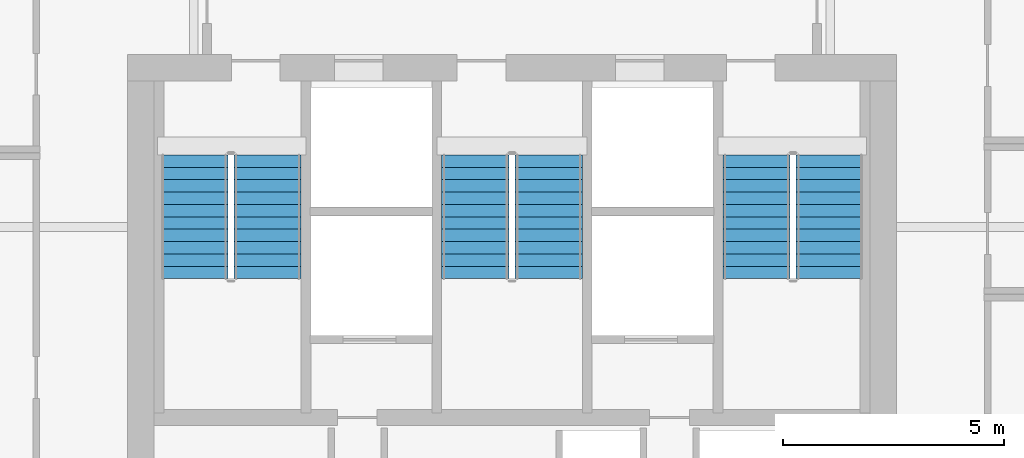
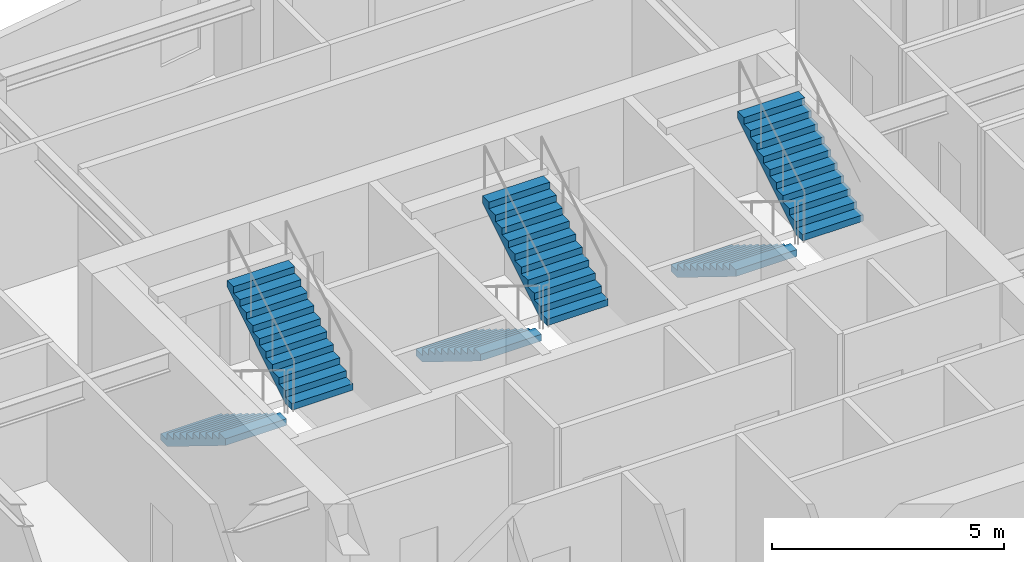
# One storey, part 9 of 12: 6 stair flights, 3 elements without a shape of their own.
"""IFC4 building model written with IfcOpenShell, lengths in metres."""

import ifcopenshell
import ifcopenshell.guid

model = None  # the IFC model being written
_history = None  # IfcOwnerHistory: only IFC2X3 demands one
_inside = {}  # id of a spatial element -> (the spatial element, [elements in it])
_under = {}  # id of a project, library or spatial element -> (it, [spatial elements below it])
_declared = {}  # id of a project -> (the project, [libraries it declares])
_typed = {}  # id of a type object -> (the type object, [elements of that type])
_made_of = {}  # id of a material, layer set ... -> (it, [elements and type objects made of it])


def new_model(schema):
    """Start an empty IFC model of exactly this schema.

    Asked for "IFC4X3", IfcOpenShell would pick the latest addendum, in which some entities
    have other attributes; the version numbers below select the first issue.
    IFC2X3 requires an IfcOwnerHistory on every rooted entity: one is made here for all.
    """
    global model, _history
    if schema == "IFC4X3":
        model = ifcopenshell.file(schema_version=(4, 3, 0, 0))
    else:
        model = ifcopenshell.file(schema=schema)
    _inside.clear()
    _under.clear()
    _declared.clear()
    _typed.clear()
    _made_of.clear()
    _history = None
    if model.schema == "IFC2X3":
        org = make("IfcOrganization", Name="unknown")
        user = make(
            "IfcPersonAndOrganization",
            ThePerson=make("IfcPerson", FamilyName="unknown"),
            TheOrganization=org,
        )
        app = make(
            "IfcApplication",
            ApplicationDeveloper=org,
            Version="unknown",
            ApplicationFullName="unknown",
            ApplicationIdentifier="unknown",
        )
        _history = make(
            "IfcOwnerHistory",
            OwningUser=user,
            OwningApplication=app,
            ChangeAction="ADDED",
            CreationDate=0,
        )
    return model


def make(cls, **values):
    """One entity of the class cls with the attributes given. An attribute that is None is left unset."""
    return model.create_entity(
        cls, **{name: value for name, value in values.items() if value is not None}
    )


def rooted(cls, **values):
    """An entity with a GlobalId (a new one), such as an element, a storey or a relation."""
    return make(cls, GlobalId=ifcopenshell.guid.new(), OwnerHistory=_history, **values)


def si_unit(unit_type, name, prefix=None):
    """IfcSIUnit, for example si_unit("LENGTHUNIT", "METRE", prefix="MILLI")."""
    return make("IfcSIUnit", UnitType=unit_type, Prefix=prefix, Name=name)


def assignment(units):
    """IfcUnitAssignment: the units of a project."""
    return None if units is None else make("IfcUnitAssignment", Units=units)


def point(xyz):
    """IfcCartesianPoint."""
    return None if xyz is None else make("IfcCartesianPoint", Coordinates=xyz)


def direction(xyz):
    """IfcDirection."""
    return None if xyz is None else make("IfcDirection", DirectionRatios=xyz)


def frame(location, z_axis=None, x_axis=None):
    """IfcAxis2Placement3D, a coordinate frame: its origin and axes. An axis left out is left unset."""
    return make(
        "IfcAxis2Placement3D",
        Location=point(location),
        Axis=direction(z_axis),
        RefDirection=direction(x_axis),
    )


def origin():
    """The frame at (0, 0, 0) with its axes left unset."""
    return frame((0.0, 0.0, 0.0))


def place(relative_to, where):
    """IfcLocalPlacement: puts the frame where relative to a parent placement (None: the world)."""
    return make(
        "IfcLocalPlacement", PlacementRelTo=relative_to, RelativePlacement=where
    )


def context(
    kind, dimensions, precision=None, world=None, true_north=None, identifier=None
):
    """IfcGeometricRepresentationContext, for example the 3D "Model" context."""
    return make(
        "IfcGeometricRepresentationContext",
        ContextIdentifier=identifier,
        ContextType=kind,
        CoordinateSpaceDimension=dimensions,
        Precision=precision,
        WorldCoordinateSystem=world,
        TrueNorth=true_north,
    )


def subcontext(parent, identifier, kind, view, scale=None):
    """IfcGeometricRepresentationSubContext, for example "Body" below "Model"."""
    return make(
        "IfcGeometricRepresentationSubContext",
        ContextIdentifier=identifier,
        ContextType=kind,
        ParentContext=parent,
        TargetScale=scale,
        TargetView=view,
    )


def project(units=None, contexts=None):
    """IfcProject with its units and contexts."""
    return rooted(
        "IfcProject",
        Name="project",
        RepresentationContexts=contexts,
        UnitsInContext=assignment(units),
    )


def spatial(cls, under=None, at=None, **own):
    """A site, building, storey or space (cls), placed at a placement, below another one or the project."""
    s = rooted(cls, ObjectPlacement=at, **own)
    if under is not None:
        _under.setdefault(under.id(), (under, []))[1].append(s)
    return s


def polyline(points):
    """IfcPolyline through the points."""
    return make("IfcPolyline", Points=[point(p) for p in points])


def outline(outer, holes=None, kind="AREA"):
    """IfcArbitraryClosedProfileDef: a profile drawn as a closed curve; with holes, ...WithVoids."""
    if holes is None:
        return make("IfcArbitraryClosedProfileDef", ProfileType=kind, OuterCurve=outer)
    return make(
        "IfcArbitraryProfileDefWithVoids",
        ProfileType=kind,
        OuterCurve=outer,
        InnerCurves=holes,
    )


def extrude(swept, where, along, depth):
    """IfcExtrudedAreaSolid: the profile swept, set in the frame where, extruded along a direction by depth."""
    return make(
        "IfcExtrudedAreaSolid",
        SweptArea=swept,
        Position=where,
        ExtrudedDirection=direction(along),
        Depth=depth,
    )


def shape(context_of_items, identifier, shape_type, items):
    """IfcShapeRepresentation: the items that make up one representation, for example the "Body"."""
    return make(
        "IfcShapeRepresentation",
        ContextOfItems=context_of_items,
        RepresentationIdentifier=identifier,
        RepresentationType=shape_type,
        Items=items,
    )


def material(Name=None, Category=None):
    """IfcMaterial."""
    return make("IfcMaterial", Name=Name, Category=Category)


def made_of(thing, what):
    """Note that an element or type object is made of a material, layer set ...; save() writes the relation."""
    if what is not None:
        _made_of.setdefault(what.id(), (what, []))[1].append(thing)
    return thing


def type_object(cls, material=None, **own):
    """A type object (cls), such as IfcWallType, which elements share."""
    return made_of(rooted(cls, **own), material)


def element(
    cls,
    number,
    at=None,
    inside=None,
    cuts=None,
    type_object=None,
    material=None,
    context=None,
    identifier="Body",
    shape_type=None,
    held_by="IfcProductDefinitionShape",
    body=None,
    shapes=None,
    **own,
):
    """One element of the class cls, such as IfcWall. Its Tag is "e" and its number.

    at: its placement. inside: the storey or other place that contains it. cuts: it is an
    opening in that element (IfcRelVoidsElement). A single representation is given by context,
    identifier, shape_type and body (its items); several are given by shapes. held_by: the class
    of the entity that holds the representations. save() writes the other relations.
    """
    e = rooted(cls, Tag="e%d" % number, ObjectPlacement=at, **own)
    if body is not None:
        shapes = [shape(context, identifier, shape_type, body)]
    if shapes is not None:
        e.Representation = make(held_by, Representations=shapes)
    if inside is not None:
        _inside.setdefault(inside.id(), (inside, []))[1].append(e)
    if cuts is not None:
        rooted(
            "IfcRelVoidsElement", RelatingBuildingElement=cuts, RelatedOpeningElement=e
        )
    if type_object is not None:
        _typed.setdefault(type_object.id(), (type_object, []))[1].append(e)
    return made_of(e, material)


def aggregate(whole, parts):
    """IfcRelAggregates: a whole, such as a stair, and the parts it consists of."""
    return rooted("IfcRelAggregates", RelatingObject=whole, RelatedObjects=parts)


def save(model, path):
    """Write the relations noted so far, then the file.

    IfcRelAggregates (storeys below a building ...), IfcRelContainedInSpatialStructure (elements
    in a storey), IfcRelDefinesByType, IfcRelAssociatesMaterial and IfcRelDeclares: one each for
    every whole, place, type object, material and project.
    """
    for whole, parts in _under.values():
        aggregate(whole, parts)
    for where, things in _inside.values():
        rooted(
            "IfcRelContainedInSpatialStructure",
            RelatedElements=things,
            RelatingStructure=where,
        )
    for kind, things in _typed.values():
        rooted("IfcRelDefinesByType", RelatedObjects=things, RelatingType=kind)
    for what, things in _made_of.values():
        rooted("IfcRelAssociatesMaterial", RelatedObjects=things, RelatingMaterial=what)
    for by, libraries in _declared.values():
        rooted("IfcRelDeclares", RelatingContext=by, RelatedDefinitions=libraries)
    model.write(path)


model = new_model("IFC4")

# Units and contexts
model_context = context("Model", 3, precision=1e-05, world=origin(), true_north=direction((0.0, 1.0)))
body_context = subcontext(model_context, "Body", "Model", "MODEL_VIEW")
ifc_project = project(units=[si_unit("LENGTHUNIT", "METRE"), si_unit("AREAUNIT", "SQUARE_METRE"), si_unit("VOLUMEUNIT", "CUBIC_METRE"), si_unit("PLANEANGLEUNIT", "RADIAN"), si_unit("MASSUNIT", "GRAM", prefix="KILO")], contexts=[model_context])

# Site, building, storey
site_placement = place(None, origin())
site = spatial("IfcSite", under=ifc_project, at=site_placement, CompositionType="ELEMENT")
building_placement = place(site_placement, origin())
building = spatial("IfcBuilding", under=site, at=building_placement, Name="Haolan Belvedere Tower", CompositionType="ELEMENT")
storey_placement = place(building_placement, frame((0.0, 0.0, 184.199951171875)))
storey = spatial("IfcBuildingStorey", under=building, at=storey_placement, Name="L46", CompositionType="ELEMENT", Elevation=184.199951171875)

# Stair, stair flights
ifc_material = material(Name="Concrete C40/50", Category="concrete")
stair_type = type_object("IfcStairType", Name="STR-DL-22R-173", PredefinedType="HALF_TURN_STAIR", material=ifc_material)
stair_1_placement = place(storey_placement, origin())
stair_1 = element("IfcStair", 1, at=stair_1_placement, inside=storey, type_object=stair_type, Name="L46 Smokeproof Core Exit Stair ST1", PredefinedType="HALF_TURN_STAIR")
stair_flight_type = type_object("IfcStairFlightType", Name="SFL-DL-11R-173", PredefinedType="STRAIGHT", material=ifc_material)
stair_flight_1_placement = place(storey_placement, frame((31.2099609375, 41.22998046875, 0.0), z_axis=(0.0, 0.0, 1.0), x_axis=(0.0, -1.0, 0.0)))
stair_flight_1 = element("IfcStairFlight", 2, at=stair_flight_1_placement, type_object=stair_flight_type, Name="ST1 flight 1", NumberOfRisers=11, NumberOfTreads=10, PredefinedType="STRAIGHT", RiserHeight=0.172727273, TreadLength=0.28, context=body_context, shape_type="SweptSolid", body=[
    extrude(outline(polyline([(0.0, 0.0), (0.0, 0.172607421875), (0.280029296875, 0.172607421875), (0.280029296875, 0.345458984375), (0.56005859375, 0.345458984375), (0.56005859375, 0.51806640625), (0.840087890625, 0.51806640625), (0.840087890625, 0.69091796875), (1.1201171875, 0.69091796875), (1.1201171875, 0.863525390625), (1.39990234375, 0.863525390625), (1.39990234375, 1.036376953125), (1.679931640625, 1.036376953125), (1.679931640625, 1.208984375), (1.9599609375, 1.208984375), (1.9599609375, 1.3818359375), (2.239990234375, 1.3818359375), (2.239990234375, 1.554443359375), (2.52001953125, 1.554443359375), (2.52001953125, 1.727294921875), (2.800048828125, 1.727294921875), (2.800048828125, 1.89990234375), (2.800048828125, 1.551025390625), (0.285400390625, 0.0), (0.0, 0.0)])), frame((0.0, 0.760009765625, 0.0), z_axis=(0.0, -1.0, 0.0), x_axis=(1.0, 0.0, 0.0)), (0.0, 0.0, 1.0), 1.52001953125),
])
stair_flight_2_placement = place(storey_placement, frame((32.8701171875, 38.429931640625, 1.900146484375), z_axis=(0.0, 0.0, 1.0), x_axis=(0.0, 1.0, 0.0)))
stair_flight_2 = element("IfcStairFlight", 3, at=stair_flight_2_placement, type_object=stair_flight_type, Name="ST1 flight 2", NumberOfRisers=11, NumberOfTreads=10, PredefinedType="STRAIGHT", RiserHeight=0.172727273, TreadLength=0.28, context=body_context, shape_type="SweptSolid", body=[
    extrude(outline(polyline([(0.0, 0.0), (0.0, 0.172607421875), (0.280029296875, 0.172607421875), (0.280029296875, 0.345458984375), (0.56005859375, 0.345458984375), (0.56005859375, 0.51806640625), (0.840087890625, 0.51806640625), (0.840087890625, 0.69091796875), (1.1201171875, 0.69091796875), (1.1201171875, 0.863525390625), (1.39990234375, 0.863525390625), (1.39990234375, 1.036376953125), (1.679931640625, 1.036376953125), (1.679931640625, 1.208984375), (1.9599609375, 1.208984375), (1.9599609375, 1.3818359375), (2.239990234375, 1.3818359375), (2.239990234375, 1.554443359375), (2.52001953125, 1.554443359375), (2.52001953125, 1.727294921875), (2.800048828125, 1.727294921875), (2.800048828125, 1.89990234375), (2.800048828125, 1.551025390625), (0.285400390625, 0.0), (0.0, 0.0)])), frame((0.0, 0.760009765625, 0.0), z_axis=(0.0, -1.0, 0.0), x_axis=(1.0, 0.0, 0.0)), (0.0, 0.0, 1.0), 1.52001953125),
])
aggregate(stair_1, [stair_flight_1, stair_flight_2])

stair_2_placement = place(storey_placement, origin())
stair_2 = element("IfcStair", 4, at=stair_2_placement, inside=storey, type_object=stair_type, Name="L46 Smokeproof Core Exit Stair ST3", PredefinedType="HALF_TURN_STAIR")
stair_flight_3_placement = place(storey_placement, frame((37.570068359375, 41.22998046875, 0.0), z_axis=(0.0, 0.0, 1.0), x_axis=(0.0, -1.0, 0.0)))
stair_flight_3 = element("IfcStairFlight", 5, at=stair_flight_3_placement, type_object=stair_flight_type, Name="ST3 flight 1", NumberOfRisers=11, NumberOfTreads=10, PredefinedType="STRAIGHT", RiserHeight=0.172727273, TreadLength=0.28, context=body_context, shape_type="SweptSolid", body=[
    extrude(outline(polyline([(0.0, 0.0), (0.0, 0.172607421875), (0.280029296875, 0.172607421875), (0.280029296875, 0.345458984375), (0.56005859375, 0.345458984375), (0.56005859375, 0.51806640625), (0.840087890625, 0.51806640625), (0.840087890625, 0.69091796875), (1.1201171875, 0.69091796875), (1.1201171875, 0.863525390625), (1.39990234375, 0.863525390625), (1.39990234375, 1.036376953125), (1.679931640625, 1.036376953125), (1.679931640625, 1.208984375), (1.9599609375, 1.208984375), (1.9599609375, 1.3818359375), (2.239990234375, 1.3818359375), (2.239990234375, 1.554443359375), (2.52001953125, 1.554443359375), (2.52001953125, 1.727294921875), (2.800048828125, 1.727294921875), (2.800048828125, 1.89990234375), (2.800048828125, 1.551025390625), (0.285400390625, 0.0), (0.0, 0.0)])), frame((0.0, 0.760009765625, 0.0), z_axis=(0.0, -1.0, 0.0), x_axis=(1.0, 0.0, 0.0)), (0.0, 0.0, 1.0), 1.52001953125),
])
stair_flight_4_placement = place(storey_placement, frame((39.22998046875, 38.429931640625, 1.900146484375), z_axis=(0.0, 0.0, 1.0), x_axis=(0.0, 1.0, 0.0)))
stair_flight_4 = element("IfcStairFlight", 6, at=stair_flight_4_placement, type_object=stair_flight_type, Name="ST3 flight 2", NumberOfRisers=11, NumberOfTreads=10, PredefinedType="STRAIGHT", RiserHeight=0.172727273, TreadLength=0.28, context=body_context, shape_type="SweptSolid", body=[
    extrude(outline(polyline([(0.0, 0.0), (0.0, 0.172607421875), (0.280029296875, 0.172607421875), (0.280029296875, 0.345458984375), (0.56005859375, 0.345458984375), (0.56005859375, 0.51806640625), (0.840087890625, 0.51806640625), (0.840087890625, 0.69091796875), (1.1201171875, 0.69091796875), (1.1201171875, 0.863525390625), (1.39990234375, 0.863525390625), (1.39990234375, 1.036376953125), (1.679931640625, 1.036376953125), (1.679931640625, 1.208984375), (1.9599609375, 1.208984375), (1.9599609375, 1.3818359375), (2.239990234375, 1.3818359375), (2.239990234375, 1.554443359375), (2.52001953125, 1.554443359375), (2.52001953125, 1.727294921875), (2.800048828125, 1.727294921875), (2.800048828125, 1.89990234375), (2.800048828125, 1.551025390625), (0.285400390625, 0.0), (0.0, 0.0)])), frame((0.0, 0.760009765625, 0.0), z_axis=(0.0, -1.0, 0.0), x_axis=(1.0, 0.0, 0.0)), (0.0, 0.0, 1.0), 1.52001953125),
])
aggregate(stair_2, [stair_flight_3, stair_flight_4])

stair_3_placement = place(storey_placement, origin())
stair_3 = element("IfcStair", 7, at=stair_3_placement, inside=storey, type_object=stair_type, Name="L46 Smokeproof Core Exit Stair ST2", PredefinedType="HALF_TURN_STAIR")
stair_flight_5_placement = place(storey_placement, frame((43.929931640625, 41.22998046875, 0.0), z_axis=(0.0, 0.0, 1.0), x_axis=(0.0, -1.0, 0.0)))
stair_flight_5 = element("IfcStairFlight", 8, at=stair_flight_5_placement, type_object=stair_flight_type, Name="ST2 flight 1", NumberOfRisers=11, NumberOfTreads=10, PredefinedType="STRAIGHT", RiserHeight=0.172727273, TreadLength=0.28, context=body_context, shape_type="SweptSolid", body=[
    extrude(outline(polyline([(0.0, 0.0), (0.0, 0.172607421875), (0.280029296875, 0.172607421875), (0.280029296875, 0.345458984375), (0.56005859375, 0.345458984375), (0.56005859375, 0.51806640625), (0.840087890625, 0.51806640625), (0.840087890625, 0.69091796875), (1.1201171875, 0.69091796875), (1.1201171875, 0.863525390625), (1.39990234375, 0.863525390625), (1.39990234375, 1.036376953125), (1.679931640625, 1.036376953125), (1.679931640625, 1.208984375), (1.9599609375, 1.208984375), (1.9599609375, 1.3818359375), (2.239990234375, 1.3818359375), (2.239990234375, 1.554443359375), (2.52001953125, 1.554443359375), (2.52001953125, 1.727294921875), (2.800048828125, 1.727294921875), (2.800048828125, 1.89990234375), (2.800048828125, 1.551025390625), (0.285400390625, 0.0), (0.0, 0.0)])), frame((0.0, 0.760009765625, 0.0), z_axis=(0.0, -1.0, 0.0), x_axis=(1.0, 0.0, 0.0)), (0.0, 0.0, 1.0), 1.52001953125),
])
stair_flight_6_placement = place(storey_placement, frame((45.590087890625, 38.429931640625, 1.900146484375), z_axis=(0.0, 0.0, 1.0), x_axis=(0.0, 1.0, 0.0)))
stair_flight_6 = element("IfcStairFlight", 9, at=stair_flight_6_placement, type_object=stair_flight_type, Name="ST2 flight 2", NumberOfRisers=11, NumberOfTreads=10, PredefinedType="STRAIGHT", RiserHeight=0.172727273, TreadLength=0.28, context=body_context, shape_type="SweptSolid", body=[
    extrude(outline(polyline([(0.0, 0.0), (0.0, 0.172607421875), (0.280029296875, 0.172607421875), (0.280029296875, 0.345458984375), (0.56005859375, 0.345458984375), (0.56005859375, 0.51806640625), (0.840087890625, 0.51806640625), (0.840087890625, 0.69091796875), (1.1201171875, 0.69091796875), (1.1201171875, 0.863525390625), (1.39990234375, 0.863525390625), (1.39990234375, 1.036376953125), (1.679931640625, 1.036376953125), (1.679931640625, 1.208984375), (1.9599609375, 1.208984375), (1.9599609375, 1.3818359375), (2.239990234375, 1.3818359375), (2.239990234375, 1.554443359375), (2.52001953125, 1.554443359375), (2.52001953125, 1.727294921875), (2.800048828125, 1.727294921875), (2.800048828125, 1.89990234375), (2.800048828125, 1.551025390625), (0.285400390625, 0.0), (0.0, 0.0)])), frame((0.0, 0.760009765625, 0.0), z_axis=(0.0, -1.0, 0.0), x_axis=(1.0, 0.0, 0.0)), (0.0, 0.0, 1.0), 1.52001953125),
])
aggregate(stair_3, [stair_flight_5, stair_flight_6])

save(model, "model.ifc")
